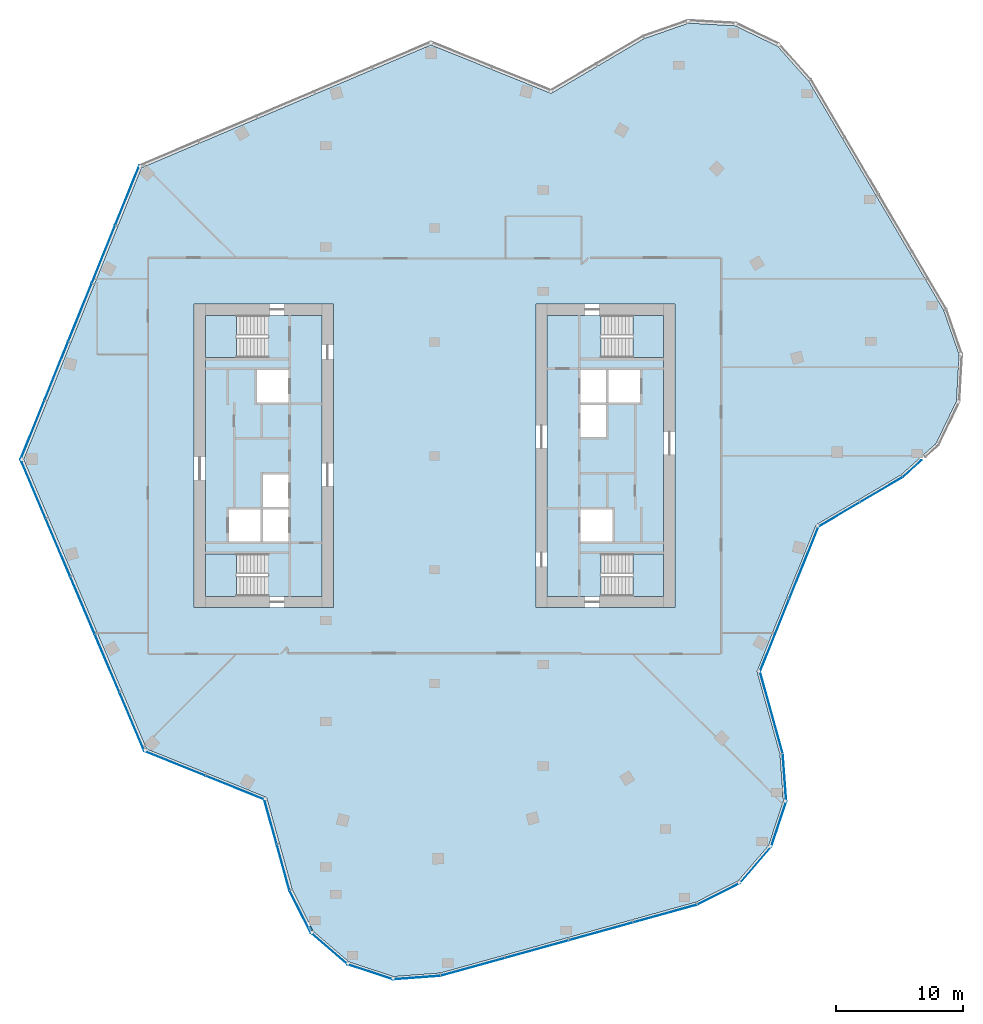
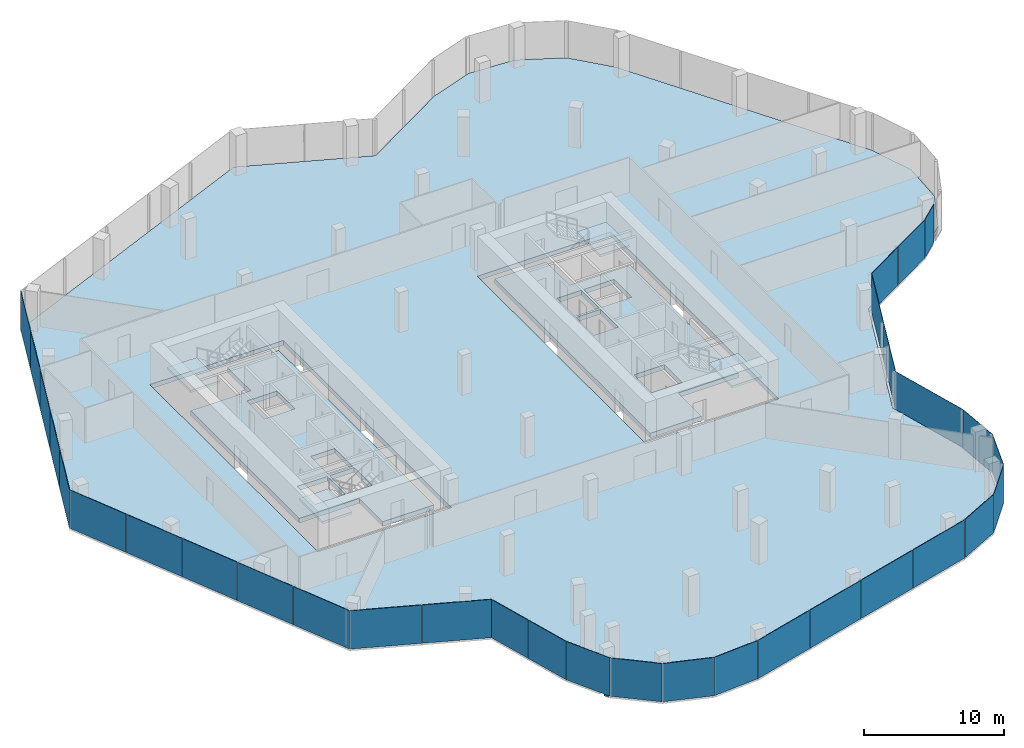
# One storey, part 10 of 15: 32 plates, 7 slabs, 1 member, 21 elements without a shape of their own.
"""IFC4 building model written with IfcOpenShell, lengths in metres."""

from ifc_helpers import new_model, si_unit, direction, frame, origin, origin_2d, place, context, subcontext, project, spatial, polyline, rectangle, outline, extrude, material, layer, layer_set, material_profile, profile_set, type_object, element, aggregate, save


model = new_model("IFC4")

# Units and contexts
model_context = context("Model", 3, precision=1e-05, world=origin(), true_north=direction((0.0, 1.0)))
body_context = subcontext(model_context, "Body", "Model", "MODEL_VIEW")
ifc_project = project(units=[si_unit("LENGTHUNIT", "METRE"), si_unit("AREAUNIT", "SQUARE_METRE"), si_unit("VOLUMEUNIT", "CUBIC_METRE"), si_unit("PLANEANGLEUNIT", "RADIAN"), si_unit("MASSUNIT", "GRAM", prefix="KILO")], contexts=[model_context])

# Site, building, storey
site_placement = place(None, origin())
site = spatial("IfcSite", under=ifc_project, at=site_placement, CompositionType="ELEMENT")
building_placement = place(site_placement, origin())
building = spatial("IfcBuilding", under=site, at=building_placement, Name="Orlundy Tower", CompositionType="ELEMENT")
storey_placement = place(building_placement, frame((0.0, 0.0, 278.89990234375)))
storey = spatial("IfcBuildingStorey", under=building, at=storey_placement, Name="L74", CompositionType="ELEMENT", Elevation=278.89990234375)

# Curtain wall, member
ifc_material_1 = material(Name="Aluminium bronze anodised", Category="aluminium")
curtain_wall_type = type_object("IfcCurtainWallType", Name="CW6 wall", PredefinedType="NOTDEFINED", material=ifc_material_1)
curtain_wall_1_placement = place(storey_placement, origin())
curtain_wall_1 = element("IfcCurtainWall", 1, at=curtain_wall_1_placement, inside=storey, type_object=curtain_wall_type, Name="CW6 run 011", PredefinedType="NOTDEFINED")
ifc_material_2 = material(Name="Aluminium bronze anodised", Category="aluminium")
ifc_material_profile = material_profile(ifc_material_2, rectangle(XDim=0.239990234375, YDim=0.159912109375, at=origin_2d()), Name="CW6 transom 240x160")
ifc_profile_set = profile_set([ifc_material_profile], Name="Aluminium bronze anodised")
member_type = type_object("IfcMemberType", Name="CW6 transom 240x160", PredefinedType="USERDEFINED", material=ifc_profile_set)
member_placement = place(storey_placement, frame((-9.7373046875, -37.5322265625, -0.31982421875), z_axis=(-0.450437701158, 0.892807861399, 0.0), x_axis=(-0.892807861399, -0.450437701158, 0.0)))
member = element("IfcMember", 2, at=member_placement, type_object=member_type, Name="CW6 transom", ObjectType="TRANSOM", PredefinedType="USERDEFINED", context=body_context, shape_type="SweptSolid", body=[
    extrude(rectangle(XDim=0.239990234375, YDim=0.159912109375, at=origin_2d()), origin(), (0.0, 0.0, 1.0), 0.363037109375),
])

# Curtain wall, plates
curtain_wall_2_placement = place(storey_placement, origin())
curtain_wall_2 = element("IfcCurtainWall", 3, at=curtain_wall_2_placement, inside=storey, type_object=curtain_wall_type, Name="CW6 run 00", PredefinedType="NOTDEFINED")
ifc_material_3 = material(Name="Tinted glass", Category="glass")
ifc_layer_1 = layer(ifc_material_3, 0.035888671875)
ifc_layer_set_1 = layer_set([ifc_layer_1], Name="CW6 glass panel 36")
plate_type = type_object("IfcPlateType", Name="CW6 glass panel 36", PredefinedType="CURTAIN_PANEL", material=ifc_layer_set_1)
plate_1_placement = place(storey_placement, frame((35.306396484375, -2.672607421875, -0.23974609375), z_axis=(0.0, 0.0, 1.0), x_axis=(-0.861613706628, -0.507564597416, 0.0)))
plate_1 = element("IfcPlate", 4, at=plate_1_placement, type_object=plate_type, Name="CW6 panel", PredefinedType="CURTAIN_PANEL", context=body_context, shape_type="SweptSolid", body=[
    extrude(rectangle(XDim=3.86376953125, YDim=0.035888671875, at=origin_2d()), origin(), (0.0, 0.0, 1.0), 3.340087890625),
])
plate_2_placement = place(storey_placement, frame((31.965087890625, -4.640869140625, -0.23974609375), z_axis=(0.0, 0.0, 1.0), x_axis=(-0.861613706628, -0.507564597416, 0.0)))
plate_2 = element("IfcPlate", 5, at=plate_2_placement, type_object=plate_type, Name="CW6 panel", PredefinedType="CURTAIN_PANEL", context=body_context, shape_type="SweptSolid", body=[
    extrude(rectangle(XDim=3.791748046875, YDim=0.035888671875, at=origin_2d()), origin(), (0.0, 0.0, 1.0), 3.340087890625),
])
aggregate(curtain_wall_2, [plate_1, plate_2])

curtain_wall_3_placement = place(storey_placement, origin())
curtain_wall_3 = element("IfcCurtainWall", 6, at=curtain_wall_3_placement, inside=storey, type_object=curtain_wall_type, Name="CW6 run 01", PredefinedType="NOTDEFINED")
plate_3_placement = place(storey_placement, frame((29.18115234375, -8.45068359375, -0.23974609375), z_axis=(0.0, 0.0, 1.0), x_axis=(-0.37457825326, -0.927195304229, 0.0)))
plate_3 = element("IfcPlate", 7, at=plate_3_placement, type_object=plate_type, Name="CW6 panel", PredefinedType="CURTAIN_PANEL", context=body_context, shape_type="SweptSolid", body=[
    extrude(rectangle(XDim=6.142578125, YDim=0.035888671875, at=origin_2d()), origin(), (0.0, 0.0, 1.0), 3.340087890625),
])
plate_4_placement = place(storey_placement, frame((26.861572265625, -14.192626953125, -0.23974609375), z_axis=(0.0, 0.0, 1.0), x_axis=(-0.37457825326, -0.927195304229, 0.0)))
plate_4 = element("IfcPlate", 8, at=plate_4_placement, type_object=plate_type, Name="CW6 panel", PredefinedType="CURTAIN_PANEL", context=body_context, shape_type="SweptSolid", body=[
    extrude(rectangle(XDim=6.142578125, YDim=0.035888671875, at=origin_2d()), origin(), (0.0, 0.0, 1.0), 3.340087890625),
])
aggregate(curtain_wall_3, [plate_3, plate_4])

# Curtain wall, plate
curtain_wall_4_placement = place(storey_placement, origin())
curtain_wall_4 = element("IfcCurtainWall", 9, at=curtain_wall_4_placement, inside=storey, type_object=curtain_wall_type, Name="CW6 run 02", PredefinedType="NOTDEFINED")
plate_5_placement = place(storey_placement, frame((26.607177734375, -20.27099609375, -0.23974609375), z_axis=(0.0, 0.0, 1.0), x_axis=(0.26725609635, -0.963625538767, 0.0)))
plate_5 = element("IfcPlate", 10, at=plate_5_placement, type_object=plate_type, Name="CW6 panel", PredefinedType="CURTAIN_PANEL", context=body_context, shape_type="SweptSolid", body=[
    extrude(rectangle(XDim=6.705078125, YDim=0.035888671875, at=origin_2d()), origin(), (0.0, 0.0, 1.0), 3.340087890625),
])
aggregate(curtain_wall_4, [plate_5])

curtain_wall_5_placement = place(storey_placement, origin())
curtain_wall_5 = element("IfcCurtainWall", 11, at=curtain_wall_5_placement, inside=storey, type_object=curtain_wall_type, Name="CW6 run 03", PredefinedType="NOTDEFINED")
plate_6_placement = place(storey_placement, frame((27.650146484375, -25.419677734375, -0.23974609375), z_axis=(0.0, 0.0, 1.0), x_axis=(0.073911430304, -0.997264809602, 0.0)))
plate_6 = element("IfcPlate", 12, at=plate_6_placement, type_object=plate_type, Name="CW6 panel", PredefinedType="CURTAIN_PANEL", context=body_context, shape_type="SweptSolid", body=[
    extrude(rectangle(XDim=3.748046875, YDim=0.035888671875, at=origin_2d()), origin(), (0.0, 0.0, 1.0), 3.340087890625),
])
aggregate(curtain_wall_5, [plate_6])

curtain_wall_6_placement = place(storey_placement, origin())
curtain_wall_6 = element("IfcCurtainWall", 13, at=curtain_wall_6_placement, inside=storey, type_object=curtain_wall_type, Name="CW6 run 04", PredefinedType="NOTDEFINED")
plate_7_placement = place(storey_placement, frame((27.19482421875, -29.090576171875, -0.23974609375), z_axis=(0.0, 0.0, 1.0), x_axis=(-0.312988116173, -0.949757042161, 0.0)))
plate_7 = element("IfcPlate", 14, at=plate_7_placement, type_object=plate_type, Name="CW6 panel", PredefinedType="CURTAIN_PANEL", context=body_context, shape_type="SweptSolid", body=[
    extrude(rectangle(XDim=3.79443359375, YDim=0.035888671875, at=origin_2d()), origin(), (0.0, 0.0, 1.0), 3.340087890625),
])
aggregate(curtain_wall_6, [plate_7])

curtain_wall_7_placement = place(storey_placement, origin())
curtain_wall_7 = element("IfcCurtainWall", 15, at=curtain_wall_7_placement, inside=storey, type_object=curtain_wall_type, Name="CW6 run 05", PredefinedType="NOTDEFINED")
plate_8_placement = place(storey_placement, frame((25.362060546875, -32.329833984375, -0.23974609375), z_axis=(0.0, 0.0, 1.0), x_axis=(-0.652832887024, -0.757501961463, 0.0)))
plate_8 = element("IfcPlate", 16, at=plate_8_placement, type_object=plate_type, Name="CW6 panel", PredefinedType="CURTAIN_PANEL", context=body_context, shape_type="SweptSolid", body=[
    extrude(rectangle(XDim=3.795166015625, YDim=0.035888671875, at=origin_2d()), origin(), (0.0, 0.0, 1.0), 3.340087890625),
])
aggregate(curtain_wall_7, [plate_8])

curtain_wall_8_placement = place(storey_placement, origin())
curtain_wall_8 = element("IfcCurtainWall", 17, at=curtain_wall_8_placement, inside=storey, type_object=curtain_wall_type, Name="CW6 run 06", PredefinedType="NOTDEFINED")
plate_9_placement = place(storey_placement, frame((22.4501953125, -34.610595703125, -0.23974609375), z_axis=(0.0, 0.0, 1.0), x_axis=(-0.893019858419, -0.450017257968, 0.0)))
plate_9 = element("IfcPlate", 18, at=plate_9_placement, type_object=plate_type, Name="CW6 panel", PredefinedType="CURTAIN_PANEL", context=body_context, shape_type="SweptSolid", body=[
    extrude(rectangle(XDim=3.747314453125, YDim=0.035888671875, at=origin_2d()), origin(), (0.0, 0.0, 1.0), 3.340087890625),
])
aggregate(curtain_wall_8, [plate_9])

# Curtain wall, plates
curtain_wall_9_placement = place(storey_placement, origin())
curtain_wall_9 = element("IfcCurtainWall", 19, at=curtain_wall_9_placement, inside=storey, type_object=curtain_wall_type, Name="CW6 run 07", PredefinedType="NOTDEFINED")
plate_10_placement = place(storey_placement, frame((18.21435546875, -36.16943359375, -0.23974609375), z_axis=(0.0, 0.0, 1.0), x_axis=(-0.963629710974, -0.267241052476, 0.0)))
plate_10 = element("IfcPlate", 20, at=plate_10_placement, type_object=plate_type, Name="CW6 panel", PredefinedType="CURTAIN_PANEL", context=body_context, shape_type="SweptSolid", body=[
    extrude(rectangle(XDim=5.2216796875, YDim=0.035888671875, at=origin_2d()), origin(), (0.0, 0.0, 1.0), 3.340087890625),
])
plate_11_placement = place(storey_placement, frame((13.144775390625, -37.575439453125, -0.23974609375), z_axis=(0.0, 0.0, 1.0), x_axis=(-0.963629710974, -0.267241052476, 0.0)))
plate_11 = element("IfcPlate", 21, at=plate_11_placement, type_object=plate_type, Name="CW6 panel", PredefinedType="CURTAIN_PANEL", context=body_context, shape_type="SweptSolid", body=[
    extrude(rectangle(XDim=5.199951171875, YDim=0.035888671875, at=origin_2d()), origin(), (0.0, 0.0, 1.0), 3.340087890625),
])
plate_12_placement = place(storey_placement, frame((8.0859375, -38.978515625, -0.23974609375), z_axis=(0.0, 0.0, 1.0), x_axis=(-0.963629710974, -0.267241052476, 0.0)))
plate_12 = element("IfcPlate", 22, at=plate_12_placement, type_object=plate_type, Name="CW6 panel", PredefinedType="CURTAIN_PANEL", context=body_context, shape_type="SweptSolid", body=[
    extrude(rectangle(XDim=5.199951171875, YDim=0.035888671875, at=origin_2d()), origin(), (0.0, 0.0, 1.0), 3.340087890625),
])
plate_13_placement = place(storey_placement, frame((3.016357421875, -40.38427734375, -0.23974609375), z_axis=(0.0, 0.0, 1.0), x_axis=(-0.963629710974, -0.267241052476, 0.0)))
plate_13 = element("IfcPlate", 23, at=plate_13_placement, type_object=plate_type, Name="CW6 panel", PredefinedType="CURTAIN_PANEL", context=body_context, shape_type="SweptSolid", body=[
    extrude(rectangle(XDim=5.2216796875, YDim=0.035888671875, at=origin_2d()), origin(), (0.0, 0.0, 1.0), 3.340087890625),
])
aggregate(curtain_wall_9, [plate_10, plate_11, plate_12, plate_13])

# Curtain wall, plate
curtain_wall_10_placement = place(storey_placement, origin())
curtain_wall_10 = element("IfcCurtainWall", 24, at=curtain_wall_10_placement, inside=storey, type_object=curtain_wall_type, Name="CW6 run 08", PredefinedType="NOTDEFINED")
plate_14_placement = place(storey_placement, frame((-1.417724609375, -41.229736328125, -0.23974609375), z_axis=(0.0, 0.0, 1.0), x_axis=(-0.99724489086, -0.074179698392, 0.0)))
plate_14 = element("IfcPlate", 25, at=plate_14_placement, type_object=plate_type, Name="CW6 panel", PredefinedType="CURTAIN_PANEL", context=body_context, shape_type="SweptSolid", body=[
    extrude(rectangle(XDim=3.748046875, YDim=0.035888671875, at=origin_2d()), origin(), (0.0, 0.0, 1.0), 3.340087890625),
])
aggregate(curtain_wall_10, [plate_14])

curtain_wall_11_placement = place(storey_placement, origin())
curtain_wall_11 = element("IfcCurtainWall", 26, at=curtain_wall_11_placement, inside=storey, type_object=curtain_wall_type, Name="CW6 run 09", PredefinedType="NOTDEFINED")
plate_15_placement = place(storey_placement, frame((-5.088623046875, -40.7744140625, -0.23974609375), z_axis=(0.0, 0.0, 1.0), x_axis=(-0.949676811134, 0.313231470951, 0.0)))
plate_15 = element("IfcPlate", 27, at=plate_15_placement, type_object=plate_type, Name="CW6 panel", PredefinedType="CURTAIN_PANEL", context=body_context, shape_type="SweptSolid", body=[
    extrude(rectangle(XDim=3.794921875, YDim=0.035888671875, at=origin_2d()), origin(), (0.0, 0.0, 1.0), 3.340087890625),
])
aggregate(curtain_wall_11, [plate_15])

curtain_wall_12_placement = place(storey_placement, origin())
curtain_wall_12 = element("IfcCurtainWall", 28, at=curtain_wall_12_placement, inside=storey, type_object=curtain_wall_type, Name="CW6 run 010", PredefinedType="NOTDEFINED")
plate_16_placement = place(storey_placement, frame((-8.327880859375, -38.941650390625, -0.23974609375), z_axis=(0.0, 0.0, 1.0), x_axis=(-0.757635374241, 0.652678052104, 0.0)))
plate_16 = element("IfcPlate", 29, at=plate_16_placement, type_object=plate_type, Name="CW6 panel", PredefinedType="CURTAIN_PANEL", context=body_context, shape_type="SweptSolid", body=[
    extrude(rectangle(XDim=3.794677734375, YDim=0.035888671875, at=origin_2d()), origin(), (0.0, 0.0, 1.0), 3.340087890625),
])
aggregate(curtain_wall_12, [plate_16])

# Plate
plate_17_placement = place(storey_placement, frame((-10.608642578125, -36.030029296875, -0.23974609375), z_axis=(0.0, 0.0, 1.0), x_axis=(-0.450017257968, 0.893019858419, 0.0)))
plate_17 = element("IfcPlate", 30, at=plate_17_placement, type_object=plate_type, Name="CW6 panel", PredefinedType="CURTAIN_PANEL", context=body_context, shape_type="SweptSolid", body=[
    extrude(rectangle(XDim=3.74755859375, YDim=0.035888671875, at=origin_2d()), origin(), (0.0, 0.0, 1.0), 3.340087890625),
])

aggregate(curtain_wall_1, [plate_17, member])

# Curtain wall, plates
curtain_wall_13_placement = place(storey_placement, origin())
curtain_wall_13 = element("IfcCurtainWall", 31, at=curtain_wall_13_placement, inside=storey, type_object=curtain_wall_type, Name="CW6 run 012", PredefinedType="NOTDEFINED")
plate_18_placement = place(storey_placement, frame((-11.96923828125, -32.509033203125, -0.23974609375), z_axis=(0.0, 0.0, 1.0), x_axis=(-0.267226188967, 0.963633832911, 0.0)))
plate_18 = element("IfcPlate", 32, at=plate_18_placement, type_object=plate_type, Name="CW6 panel", PredefinedType="CURTAIN_PANEL", context=body_context, shape_type="SweptSolid", body=[
    extrude(rectangle(XDim=3.73828125, YDim=0.035888671875, at=origin_2d()), origin(), (0.0, 0.0, 1.0), 3.340087890625),
])
plate_19_placement = place(storey_placement, frame((-12.96728515625, -28.90966796875, -0.23974609375), z_axis=(0.0, 0.0, 1.0), x_axis=(-0.267226188967, 0.963633832911, 0.0)))
plate_19 = element("IfcPlate", 33, at=plate_19_placement, type_object=plate_type, Name="CW6 panel", PredefinedType="CURTAIN_PANEL", context=body_context, shape_type="SweptSolid", body=[
    extrude(rectangle(XDim=3.632080078125, YDim=0.035888671875, at=origin_2d()), origin(), (0.0, 0.0, 1.0), 3.340087890625),
])
aggregate(curtain_wall_13, [plate_18, plate_19])

curtain_wall_14_placement = place(storey_placement, origin())
curtain_wall_14 = element("IfcCurtainWall", 34, at=curtain_wall_14_placement, inside=storey, type_object=curtain_wall_type, Name="CW6 run 013", PredefinedType="NOTDEFINED")
plate_20_placement = place(storey_placement, frame((-15.763427734375, -26.2265625, -0.23974609375), z_axis=(0.0, 0.0, 1.0), x_axis=(-0.927218353808, 0.374521193474, 0.0)))
plate_20 = element("IfcPlate", 35, at=plate_20_placement, type_object=plate_type, Name="CW6 panel", PredefinedType="CURTAIN_PANEL", context=body_context, shape_type="SweptSolid", body=[
    extrude(rectangle(XDim=4.984130859375, YDim=0.035888671875, at=origin_2d()), origin(), (0.0, 0.0, 1.0), 3.340087890625),
])
plate_21_placement = place(storey_placement, frame((-20.5244140625, -24.303466796875, -0.23974609375), z_axis=(0.0, 0.0, 1.0), x_axis=(-0.927218353808, 0.374521193474, 0.0)))
plate_21 = element("IfcPlate", 36, at=plate_21_placement, type_object=plate_type, Name="CW6 panel", PredefinedType="CURTAIN_PANEL", context=body_context, shape_type="SweptSolid", body=[
    extrude(rectangle(XDim=5.185546875, YDim=0.035888671875, at=origin_2d()), origin(), (0.0, 0.0, 1.0), 3.340087890625),
])
aggregate(curtain_wall_14, [plate_20, plate_21])

curtain_wall_15_placement = place(storey_placement, origin())
curtain_wall_15 = element("IfcCurtainWall", 37, at=curtain_wall_15_placement, inside=storey, type_object=curtain_wall_type, Name="CW6 run 014", PredefinedType="NOTDEFINED")
plate_22_placement = place(storey_placement, frame((-23.91259765625, -21.013671875, -0.23974609375), z_axis=(0.0, 0.0, 1.0), x_axis=(-0.390726531244, 0.920506804854, 0.0)))
plate_22 = element("IfcPlate", 38, at=plate_22_placement, type_object=plate_type, Name="CW6 panel", PredefinedType="CURTAIN_PANEL", context=body_context, shape_type="SweptSolid", body=[
    extrude(rectangle(XDim=5.03759765625, YDim=0.035888671875, at=origin_2d()), origin(), (0.0, 0.0, 1.0), 3.340087890625),
])
plate_23_placement = place(storey_placement, frame((-25.877685546875, -16.38427734375, -0.23974609375), z_axis=(0.0, 0.0, 1.0), x_axis=(-0.390726531244, 0.920506804854, 0.0)))
plate_23 = element("IfcPlate", 39, at=plate_23_placement, type_object=plate_type, Name="CW6 panel", PredefinedType="CURTAIN_PANEL", context=body_context, shape_type="SweptSolid", body=[
    extrude(rectangle(XDim=4.920654296875, YDim=0.035888671875, at=origin_2d()), origin(), (0.0, 0.0, 1.0), 3.340087890625),
])
plate_24_placement = place(storey_placement, frame((-27.81982421875, -11.808837890625, -0.23974609375), z_axis=(0.0, 0.0, 1.0), x_axis=(-0.390726531244, 0.920506804854, 0.0)))
plate_24 = element("IfcPlate", 40, at=plate_24_placement, type_object=plate_type, Name="CW6 panel", PredefinedType="CURTAIN_PANEL", context=body_context, shape_type="SweptSolid", body=[
    extrude(rectangle(XDim=4.920654296875, YDim=0.035888671875, at=origin_2d()), origin(), (0.0, 0.0, 1.0), 3.340087890625),
])
plate_25_placement = place(storey_placement, frame((-29.761962890625, -7.233154296875, -0.23974609375), z_axis=(0.0, 0.0, 1.0), x_axis=(-0.390726531244, 0.920506804854, 0.0)))
plate_25 = element("IfcPlate", 41, at=plate_25_placement, type_object=plate_type, Name="CW6 panel", PredefinedType="CURTAIN_PANEL", context=body_context, shape_type="SweptSolid", body=[
    extrude(rectangle(XDim=4.920654296875, YDim=0.035888671875, at=origin_2d()), origin(), (0.0, 0.0, 1.0), 3.340087890625),
])
plate_26_placement = place(storey_placement, frame((-31.72705078125, -2.603759765625, -0.23974609375), z_axis=(0.0, 0.0, 1.0), x_axis=(-0.390726531244, 0.920506804854, 0.0)))
plate_26 = element("IfcPlate", 42, at=plate_26_placement, type_object=plate_type, Name="CW6 panel", PredefinedType="CURTAIN_PANEL", context=body_context, shape_type="SweptSolid", body=[
    extrude(rectangle(XDim=5.03759765625, YDim=0.035888671875, at=origin_2d()), origin(), (0.0, 0.0, 1.0), 3.340087890625),
])
aggregate(curtain_wall_15, [plate_22, plate_23, plate_24, plate_25, plate_26])

curtain_wall_16_placement = place(storey_placement, origin())
curtain_wall_16 = element("IfcCurtainWall", 43, at=curtain_wall_16_placement, inside=storey, type_object=curtain_wall_type, Name="CW6 run 015", PredefinedType="NOTDEFINED")
plate_27_placement = place(storey_placement, frame((-31.767822265625, 2.05029296875, -0.23974609375), z_axis=(0.0, 0.0, 1.0), x_axis=(0.374607412456, 0.927183523653, 0.0)))
plate_27 = element("IfcPlate", 44, at=plate_27_placement, type_object=plate_type, Name="CW6 panel", PredefinedType="CURTAIN_PANEL", context=body_context, shape_type="SweptSolid", body=[
    extrude(rectangle(XDim=5.03759765625, YDim=0.035888671875, at=origin_2d()), origin(), (0.0, 0.0, 1.0), 3.340087890625),
])
plate_28_placement = place(storey_placement, frame((-29.8837890625, 6.713134765625, -0.23974609375), z_axis=(0.0, 0.0, 1.0), x_axis=(0.374607412456, 0.927183523653, 0.0)))
plate_28 = element("IfcPlate", 45, at=plate_28_placement, type_object=plate_type, Name="CW6 panel", PredefinedType="CURTAIN_PANEL", context=body_context, shape_type="SweptSolid", body=[
    extrude(rectangle(XDim=4.920654296875, YDim=0.035888671875, at=origin_2d()), origin(), (0.0, 0.0, 1.0), 3.340087890625),
])
plate_29_placement = place(storey_placement, frame((-28.021728515625, 11.32177734375, -0.23974609375), z_axis=(0.0, 0.0, 1.0), x_axis=(0.374607412456, 0.927183523653, 0.0)))
plate_29 = element("IfcPlate", 46, at=plate_29_placement, type_object=plate_type, Name="CW6 panel", PredefinedType="CURTAIN_PANEL", context=body_context, shape_type="SweptSolid", body=[
    extrude(rectangle(XDim=4.920654296875, YDim=0.035888671875, at=origin_2d()), origin(), (0.0, 0.0, 1.0), 3.340087890625),
])
plate_30_placement = place(storey_placement, frame((-26.159912109375, 15.93017578125, -0.23974609375), z_axis=(0.0, 0.0, 1.0), x_axis=(0.374607412456, 0.927183523653, 0.0)))
plate_30 = element("IfcPlate", 47, at=plate_30_placement, type_object=plate_type, Name="CW6 panel", PredefinedType="CURTAIN_PANEL", context=body_context, shape_type="SweptSolid", body=[
    extrude(rectangle(XDim=4.920654296875, YDim=0.035888671875, at=origin_2d()), origin(), (0.0, 0.0, 1.0), 3.340087890625),
])
plate_31_placement = place(storey_placement, frame((-24.27587890625, 20.593017578125, -0.23974609375), z_axis=(0.0, 0.0, 1.0), x_axis=(0.374607412456, 0.927183523653, 0.0)))
plate_31 = element("IfcPlate", 48, at=plate_31_placement, type_object=plate_type, Name="CW6 panel", PredefinedType="CURTAIN_PANEL", context=body_context, shape_type="SweptSolid", body=[
    extrude(rectangle(XDim=5.03759765625, YDim=0.035888671875, at=origin_2d()), origin(), (0.0, 0.0, 1.0), 3.340087890625),
])
aggregate(curtain_wall_16, [plate_27, plate_28, plate_29, plate_30, plate_31])

# Curtain wall, plate
curtain_wall_17_placement = place(storey_placement, origin())
curtain_wall_17 = element("IfcCurtainWall", 49, at=curtain_wall_17_placement, inside=storey, type_object=curtain_wall_type, Name="CW6 run 027", PredefinedType="NOTDEFINED")
plate_32_placement = place(storey_placement, frame((37.743896484375, -1.0087890625, -0.23974609375), z_axis=(0.0, 0.0, 1.0), x_axis=(-0.746157794518, -0.665769138425, 0.0)))
plate_32 = element("IfcPlate", 50, at=plate_32_placement, type_object=plate_type, Name="CW6 panel", PredefinedType="CURTAIN_PANEL", context=body_context, shape_type="SweptSolid", body=[
    extrude(rectangle(XDim=1.9638671875, YDim=0.035888671875, at=origin_2d()), origin(), (0.0, 0.0, 1.0), 3.340087890625),
])
aggregate(curtain_wall_17, [plate_32])

# Slabs
ifc_material_4 = material(Name="Concrete C50/60", Category="concrete")
ifc_layer_2 = layer(ifc_material_4, 0.409912109375)
ifc_layer_set_2 = layer_set([ifc_layer_2], Name="Core Floor Slab 410")
slab_type_1 = type_object("IfcSlabType", Name="Core Floor Slab 410", PredefinedType="FLOOR", material=ifc_layer_set_2)
slab_1_placement = place(storey_placement, frame((0.0, 0.0, -0.409912109375)))
element("IfcSlab", 51, at=slab_1_placement, inside=storey, type_object=slab_type_1, Name="Core floor W56", PredefinedType="FLOOR", context=body_context, shape_type="SweptSolid", body=[
    extrude(outline(polyline([(-18.10009765625, 7.75), (-13.14501953125, 7.75), (-13.14501953125, 11.10009765625), (-8.89990234375, 11.10009765625), (-8.89990234375, -11.10009765625), (-13.14501953125, -11.10009765625), (-13.14501953125, -7.75), (-18.10009765625, -7.75), (-18.10009765625, 7.75)]), holes=[polyline([(-13.5400390625, -4.22509765625), (-13.5400390625, -6.77490234375), (-11.5400390625, -6.77490234375), (-11.5400390625, -4.22509765625), (-13.5400390625, -4.22509765625)]), polyline([(-13.739990234375, -4.22509765625), (-16.239990234375, -4.22509765625), (-16.239990234375, -6.77490234375), (-13.739990234375, -6.77490234375), (-13.739990234375, -4.22509765625)]), polyline([(-11.5400390625, -4.02490234375), (-11.5400390625, -1.47509765625), (-13.5400390625, -1.47509765625), (-13.5400390625, -4.02490234375), (-11.5400390625, -4.02490234375)]), polyline([(-14.0400390625, 4.22509765625), (-11.5400390625, 4.22509765625), (-11.5400390625, 6.77490234375), (-14.0400390625, 6.77490234375), (-14.0400390625, 4.22509765625)])]), origin(), (0.0, 0.0, 1.0), 0.409912109375),
])
slab_2_placement = place(storey_placement, frame((0.0, 0.0, -0.409912109375)))
element("IfcSlab", 52, at=slab_2_placement, inside=storey, type_object=slab_type_1, Name="Core floor E56", PredefinedType="FLOOR", context=body_context, shape_type="SweptSolid", body=[
    extrude(outline(polyline([(18.10009765625, -7.75), (13.14501953125, -7.75), (13.14501953125, -11.10009765625), (8.89990234375, -11.10009765625), (8.89990234375, 11.10009765625), (13.14501953125, 11.10009765625), (13.14501953125, 7.75), (18.10009765625, 7.75), (18.10009765625, -7.75)]), holes=[polyline([(13.5400390625, 4.22509765625), (13.5400390625, 6.77490234375), (11.5400390625, 6.77490234375), (11.5400390625, 4.22509765625), (13.5400390625, 4.22509765625)]), polyline([(13.739990234375, 4.22509765625), (16.239990234375, 4.22509765625), (16.239990234375, 6.77490234375), (13.739990234375, 6.77490234375), (13.739990234375, 4.22509765625)]), polyline([(11.5400390625, 4.02490234375), (11.5400390625, 1.47509765625), (13.5400390625, 1.47509765625), (13.5400390625, 4.02490234375), (11.5400390625, 4.02490234375)]), polyline([(14.0400390625, -4.22509765625), (11.5400390625, -4.22509765625), (11.5400390625, -6.77490234375), (14.0400390625, -6.77490234375), (14.0400390625, -4.22509765625)])]), origin(), (0.0, 0.0, 1.0), 0.409912109375),
])

# Stair, slab
ifc_material_5 = material(Name="Concrete C50/60", Category="concrete")
stair_type = type_object("IfcStairType", Name="Exit Stair 20 risers", PredefinedType="HALF_TURN_STAIR", material=ifc_material_5)
stair_1_placement = place(storey_placement, origin())
stair_1 = element("IfcStair", 53, at=stair_1_placement, inside=storey, type_object=stair_type, Name="L74 Exit Stair ST-W1", PredefinedType="HALF_TURN_STAIR")
ifc_material_6 = material(Name="Concrete C50/60", Category="concrete")
ifc_layer_3 = layer(ifc_material_6, 0.199951171875)
ifc_layer_set_3 = layer_set([ifc_layer_3], Name="Exit Stair Landing")
slab_type_2 = type_object("IfcSlabType", Name="Exit Stair Landing", PredefinedType="LANDING", material=ifc_layer_set_3)
slab_3_placement = place(storey_placement, frame((0.0, 0.0, 1.550048828125)))
slab_3 = element("IfcSlab", 54, at=slab_3_placement, type_object=slab_type_2, Name="ST-W1 landing 1", PredefinedType="LANDING", context=body_context, shape_type="SweptSolid", body=[
    extrude(outline(polyline([(-15.659912109375, 11.10009765625), (-18.10009765625, 11.10009765625), (-18.10009765625, 7.75), (-15.659912109375, 7.75), (-15.659912109375, 11.10009765625)])), origin(), (0.0, 0.0, 1.0), 0.199951171875),
])
aggregate(stair_1, [slab_3])

stair_2_placement = place(storey_placement, origin())
stair_2 = element("IfcStair", 55, at=stair_2_placement, inside=storey, type_object=stair_type, Name="L74 Exit Stair ST-W2", PredefinedType="HALF_TURN_STAIR")
slab_4_placement = place(storey_placement, frame((0.0, 0.0, 1.550048828125)))
slab_4 = element("IfcSlab", 56, at=slab_4_placement, type_object=slab_type_2, Name="ST-W2 landing 1", PredefinedType="LANDING", context=body_context, shape_type="SweptSolid", body=[
    extrude(outline(polyline([(-15.659912109375, -7.75), (-18.10009765625, -7.75), (-18.10009765625, -11.10009765625), (-15.659912109375, -11.10009765625), (-15.659912109375, -7.75)])), origin(), (0.0, 0.0, 1.0), 0.199951171875),
])
aggregate(stair_2, [slab_4])

stair_3_placement = place(storey_placement, origin())
stair_3 = element("IfcStair", 57, at=stair_3_placement, inside=storey, type_object=stair_type, Name="L74 Exit Stair ST-E1", PredefinedType="HALF_TURN_STAIR")
slab_5_placement = place(storey_placement, frame((0.0, 0.0, 1.550048828125)))
slab_5 = element("IfcSlab", 58, at=slab_5_placement, type_object=slab_type_2, Name="ST-E1 landing 1", PredefinedType="LANDING", context=body_context, shape_type="SweptSolid", body=[
    extrude(outline(polyline([(15.659912109375, -11.10009765625), (18.10009765625, -11.10009765625), (18.10009765625, -7.75), (15.659912109375, -7.75), (15.659912109375, -11.10009765625)])), origin(), (0.0, 0.0, 1.0), 0.199951171875),
])
aggregate(stair_3, [slab_5])

stair_4_placement = place(storey_placement, origin())
stair_4 = element("IfcStair", 59, at=stair_4_placement, inside=storey, type_object=stair_type, Name="L74 Exit Stair ST-E2", PredefinedType="HALF_TURN_STAIR")
slab_6_placement = place(storey_placement, frame((0.0, 0.0, 1.550048828125)))
slab_6 = element("IfcSlab", 60, at=slab_6_placement, type_object=slab_type_2, Name="ST-E2 landing 1", PredefinedType="LANDING", context=body_context, shape_type="SweptSolid", body=[
    extrude(outline(polyline([(15.659912109375, 7.75), (18.10009765625, 7.75), (18.10009765625, 11.10009765625), (15.659912109375, 11.10009765625), (15.659912109375, 7.75)])), origin(), (0.0, 0.0, 1.0), 0.199951171875),
])
aggregate(stair_4, [slab_6])

# Slab
ifc_material_7 = material(Name="Concrete C45/55", Category="concrete")
ifc_layer_4 = layer(ifc_material_7, 0.39990234375)
ifc_layer_set_4 = layer_set([ifc_layer_4], Name="FLOOR SLAB THICK 400 C45/55")
slab_type_3 = type_object("IfcSlabType", Name="FLOOR SLAB THICK 400 C45/55", PredefinedType="FLOOR", material=ifc_layer_set_4)
slab_7_placement = place(storey_placement, frame((0.0, 0.0, -0.39990234375)))
element("IfcSlab", 61, at=slab_7_placement, inside=storey, type_object=slab_type_3, Name="Floor slab L74", PredefinedType="FLOOR", context=body_context, shape_type="SweptSolid", body=[
    extrude(outline(polyline([(30.154052734375, -5.449951171875), (25.47705078125, -17.027099609375), (27.2900390625, -23.56396484375), (27.56396484375, -27.260986328125), (26.404052734375, -30.781005859375), (23.98388671875, -33.589111328125), (20.674072265625, -35.257080078125), (0.43798828125, -40.868896484375), (-3.259033203125, -41.14404296875), (-6.779052734375, -39.98291015625), (-9.5869140625, -37.56396484375), (-11.2548828125, -34.25390625), (-13.26806640625, -26.9951171875), (-22.760009765625, -23.160888671875), (-32.470947265625, -0.282958984375), (-23.160888671875, 22.760009765625), (-0.282958984375, 32.470947265625), (9.2080078125, 28.635986328125), (16.56005859375, 32.966064453125), (20.05908203125, 34.18798828125), (23.760009765625, 33.97802734375), (27.09912109375, 32.367919921875), (29.56689453125, 29.60205078125), (40.22509765625, 11.508056640625), (41.447021484375, 8.009033203125), (41.237060546875, 4.30810546875), (39.626953125, 0.968994140625), (36.861083984375, -1.4990234375), (30.154052734375, -5.449951171875)]), holes=[polyline([(-8.0, -12.0), (-8.0, 12.0), (-19.0, 12.0), (-19.0, -12.0), (-8.0, -12.0)]), polyline([(19.0, -12.0), (19.0, 12.0), (8.0, 12.0), (8.0, -12.0), (19.0, -12.0)])]), origin(), (0.0, 0.0, 1.0), 0.39990234375),
])

save(model, "model.ifc")
